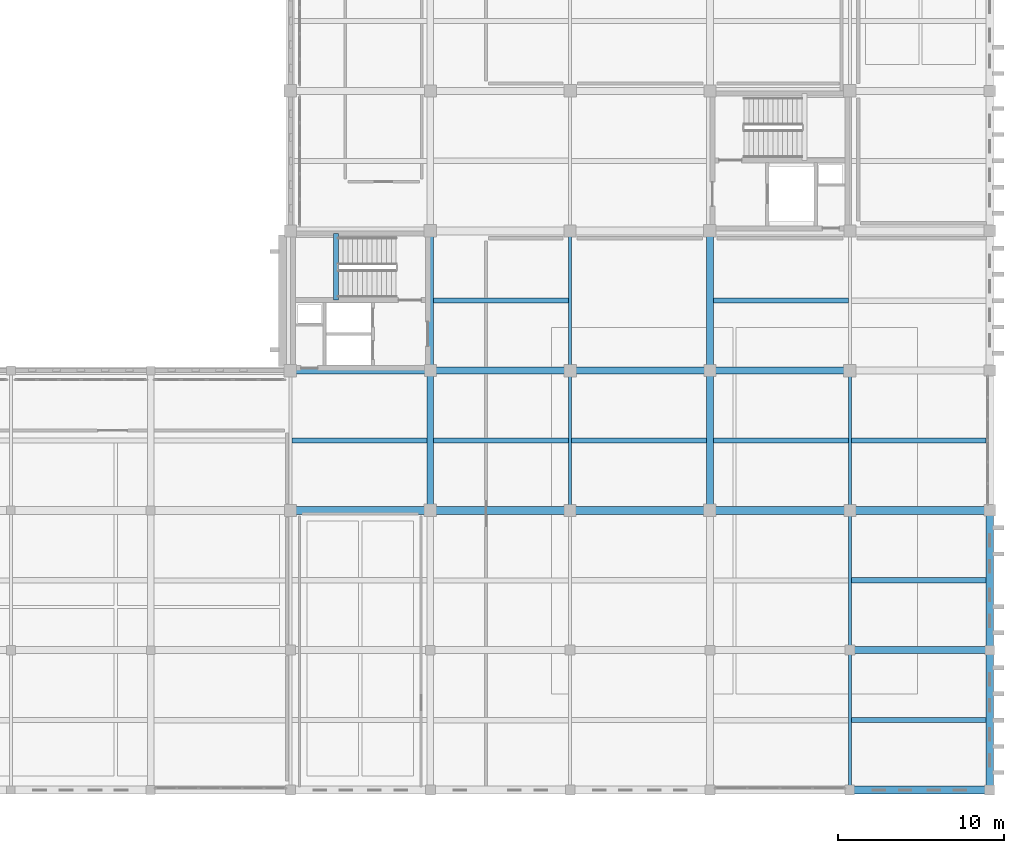
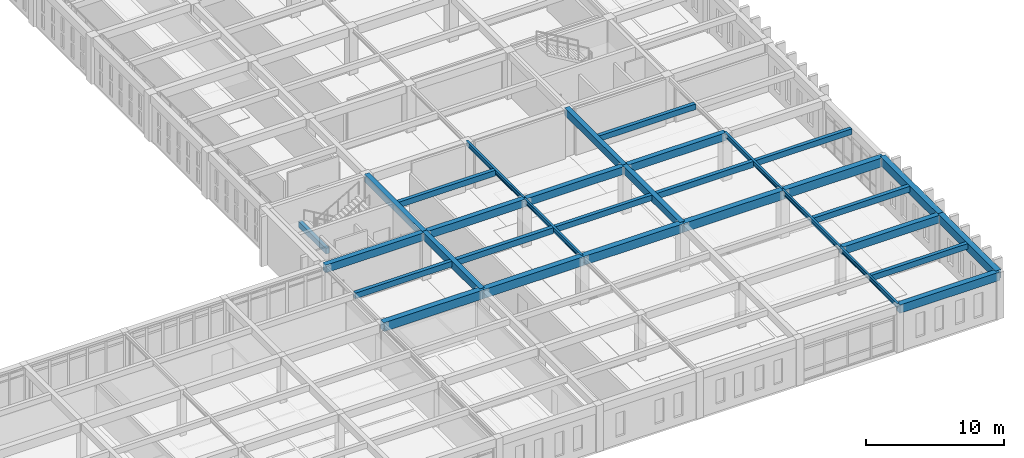
# One storey, part 102 of 192: 32 beams.
"""IFC4 building model written with IfcOpenShell, lengths in metres."""

from ifc_helpers import new_model, si_unit, direction, frame, origin, origin_2d, place, context, subcontext, project, spatial, rectangle, i_section, extrude, material, material_profile, profile_set, type_object, element, save


model = new_model("IFC4")

# Units and contexts
model_context = context("Model", 3, precision=1e-05, world=origin(), true_north=direction((0.0, 1.0)))
body_context = subcontext(model_context, "Body", "Model", "MODEL_VIEW")
ifc_project = project(units=[si_unit("LENGTHUNIT", "METRE"), si_unit("AREAUNIT", "SQUARE_METRE"), si_unit("VOLUMEUNIT", "CUBIC_METRE"), si_unit("PLANEANGLEUNIT", "RADIAN"), si_unit("MASSUNIT", "GRAM", prefix="KILO")], contexts=[model_context])

# Site, building, storey
site_placement = place(None, origin())
site = spatial("IfcSite", under=ifc_project, at=site_placement, CompositionType="ELEMENT")
building_placement = place(site_placement, origin())
building = spatial("IfcBuilding", under=site, at=building_placement, Name="Kveldsbrygga Polytechnic", CompositionType="ELEMENT")
storey_placement = place(building_placement, frame((0.0, 0.0, 5.43994140625)))
storey = spatial("IfcBuildingStorey", under=building, at=storey_placement, Name="L01", CompositionType="ELEMENT", Elevation=5.43994140625)

# Beams
ifc_material_1 = material(Name="Concrete C35/45", Category="concrete")
ifc_material_profile_1 = material_profile(ifc_material_1, rectangle(XDim=0.39990234375, YDim=0.64990234375, at=origin_2d()), Name="RC 400x650")
ifc_profile_set_1 = profile_set([ifc_material_profile_1], Name="Concrete C35/45")
beam_type_1 = type_object("IfcBeamType", Name="BM-RC-400x650", PredefinedType="BEAM", material=ifc_profile_set_1)
beam_1_placement = place(storey_placement, frame((134.39990234375, 16.800048828125, 3.795166015625), z_axis=(0.0, 1.0, 0.0), x_axis=(-1.0, 0.0, 0.0)))
element("IfcBeam", 1, at=beam_1_placement, inside=storey, type_object=beam_type_1, Name="Primary Beam BMY-L01-16-02to03", PredefinedType="BEAM", context=body_context, shape_type="SweptSolid", body=[
    extrude(rectangle(XDim=0.39990234375, YDim=0.64990234375, at=origin_2d()), origin(), (0.0, 0.0, 1.0), 8.39990234375),
])
beam_2_placement = place(storey_placement, frame((134.39990234375, 25.199951171875, 3.795166015625), z_axis=(0.0, 1.0, 0.0), x_axis=(-1.0, 0.0, 0.0)))
element("IfcBeam", 2, at=beam_2_placement, inside=storey, type_object=beam_type_1, Name="Primary Beam BMY-L01-16-03to04", PredefinedType="BEAM", context=body_context, shape_type="SweptSolid", body=[
    extrude(rectangle(XDim=0.39990234375, YDim=0.64990234375, at=origin_2d()), origin(), (0.0, 0.0, 1.0), 8.400146484375),
])
beam_3_placement = place(storey_placement, frame((151.199951171875, 16.800048828125, 3.795166015625), z_axis=(0.0, 1.0, 0.0), x_axis=(-1.0, 0.0, 0.0)))
element("IfcBeam", 3, at=beam_3_placement, inside=storey, type_object=beam_type_1, Name="Primary Beam BMY-L01-18-02to03", PredefinedType="BEAM", context=body_context, shape_type="SweptSolid", body=[
    extrude(rectangle(XDim=0.39990234375, YDim=0.64990234375, at=origin_2d()), origin(), (0.0, 0.0, 1.0), 8.39990234375),
])
beam_4_placement = place(storey_placement, frame((151.199951171875, 25.199951171875, 3.795166015625), z_axis=(0.0, 1.0, 0.0), x_axis=(-1.0, 0.0, 0.0)))
element("IfcBeam", 4, at=beam_4_placement, inside=storey, type_object=beam_type_1, Name="Primary Beam BMY-L01-18-03to04", PredefinedType="BEAM", context=body_context, shape_type="SweptSolid", body=[
    extrude(rectangle(XDim=0.39990234375, YDim=0.64990234375, at=origin_2d()), origin(), (0.0, 0.0, 1.0), 8.400146484375),
])
ifc_material_profile_2 = material_profile(ifc_material_1, rectangle(XDim=0.419921875, YDim=0.679931640625, at=origin_2d()), Name="RC 420x680")
ifc_profile_set_2 = profile_set([ifc_material_profile_2], Name="Concrete C35/45")
beam_type_2 = type_object("IfcBeamType", Name="BM-RC-420x680", PredefinedType="BEAM", material=ifc_profile_set_2)
for number, where, z_axis, x_axis, name in (
    (5, (159.60009765625, 8.39990234375, 3.780029296875), (1.0, 0.0, 0.0), (0.0, 1.0, 0.0), "Primary Beam BMX-L01-19to20-01"),
    (6, (126.0, 25.199951171875, 3.780029296875), (1.0, 0.0, 0.0), (0.0, 1.0, 0.0), "Primary Beam BMX-L01-15to16-03"),
):
    element("IfcBeam", number, at=place(storey_placement, frame(where, z_axis=z_axis, x_axis=x_axis)), inside=storey, type_object=beam_type_2, Name=name, PredefinedType="BEAM", context=body_context, shape_type="SweptSolid", body=[
        extrude(rectangle(XDim=0.419921875, YDim=0.679931640625, at=origin_2d()), origin(), (0.0, 0.0, 1.0), 8.39990234375),
    ])
beam_5_placement = place(storey_placement, frame((134.39990234375, 25.199951171875, 3.780029296875), z_axis=(1.0, 0.0, 0.0), x_axis=(0.0, 1.0, 0.0)))
element("IfcBeam", 7, at=beam_5_placement, inside=storey, type_object=beam_type_2, Name="Primary Beam BMX-L01-16to17-03", PredefinedType="BEAM", context=body_context, shape_type="SweptSolid", body=[
    extrude(rectangle(XDim=0.419921875, YDim=0.679931640625, at=origin_2d()), origin(), (0.0, 0.0, 1.0), 8.400146484375),
])
beam_6_placement = place(storey_placement, frame((142.800048828125, 25.199951171875, 3.780029296875), z_axis=(1.0, 0.0, 0.0), x_axis=(0.0, 1.0, 0.0)))
element("IfcBeam", 8, at=beam_6_placement, inside=storey, type_object=beam_type_2, Name="Primary Beam BMX-L01-17to18-03", PredefinedType="BEAM", context=body_context, shape_type="SweptSolid", body=[
    extrude(rectangle(XDim=0.419921875, YDim=0.679931640625, at=origin_2d()), origin(), (0.0, 0.0, 1.0), 8.39990234375),
])
beam_7_placement = place(storey_placement, frame((151.199951171875, 25.199951171875, 3.780029296875), z_axis=(1.0, 0.0, 0.0), x_axis=(0.0, 1.0, 0.0)))
element("IfcBeam", 9, at=beam_7_placement, inside=storey, type_object=beam_type_2, Name="Primary Beam BMX-L01-18to19-03", PredefinedType="BEAM", context=body_context, shape_type="SweptSolid", body=[
    extrude(rectangle(XDim=0.419921875, YDim=0.679931640625, at=origin_2d()), origin(), (0.0, 0.0, 1.0), 8.400146484375),
])
ifc_material_profile_3 = material_profile(ifc_material_1, rectangle(XDim=0.449951171875, YDim=0.75, at=origin_2d()), Name="RC 450x750")
ifc_profile_set_3 = profile_set([ifc_material_profile_3], Name="Concrete C35/45")
beam_type_3 = type_object("IfcBeamType", Name="BM-RC-450x750", PredefinedType="BEAM", material=ifc_profile_set_3)
beam_8_placement = place(storey_placement, frame((168.0, 0.0, 3.7451171875), z_axis=(0.0, 1.0, 0.0), x_axis=(-1.0, 0.0, 0.0)))
element("IfcBeam", 10, at=beam_8_placement, inside=storey, type_object=beam_type_3, Name="Primary Beam BMY-L01-20-00to01", PredefinedType="BEAM", context=body_context, shape_type="SweptSolid", body=[
    extrude(rectangle(XDim=0.449951171875, YDim=0.75, at=origin_2d()), origin(), (0.0, 0.0, 1.0), 8.39990234375),
])
beam_9_placement = place(storey_placement, frame((168.0, 8.39990234375, 3.7451171875), z_axis=(0.0, 1.0, 0.0), x_axis=(-1.0, 0.0, 0.0)))
element("IfcBeam", 11, at=beam_9_placement, inside=storey, type_object=beam_type_3, Name="Primary Beam BMY-L01-20-01to02", PredefinedType="BEAM", context=body_context, shape_type="SweptSolid", body=[
    extrude(rectangle(XDim=0.449951171875, YDim=0.75, at=origin_2d()), origin(), (0.0, 0.0, 1.0), 8.400146484375),
])
ifc_material_profile_4 = material_profile(ifc_material_1, rectangle(XDim=0.4599609375, YDim=0.739990234375, at=origin_2d()), Name="RC 460x740")
ifc_profile_set_4 = profile_set([ifc_material_profile_4], Name="Concrete C35/45")
beam_type_4 = type_object("IfcBeamType", Name="BM-RC-460x740", PredefinedType="BEAM", material=ifc_profile_set_4)
beam_10_placement = place(storey_placement, frame((159.60009765625, 0.0, 3.75), z_axis=(1.0, 0.0, 0.0), x_axis=(0.0, 1.0, 0.0)))
element("IfcBeam", 12, at=beam_10_placement, inside=storey, type_object=beam_type_4, Name="Primary Beam BMX-L01-19to20-00", PredefinedType="BEAM", context=body_context, shape_type="SweptSolid", body=[
    extrude(rectangle(XDim=0.4599609375, YDim=0.739990234375, at=origin_2d()), origin(), (0.0, 0.0, 1.0), 8.39990234375),
])
ifc_material_profile_5 = material_profile(ifc_material_1, rectangle(XDim=0.47998046875, YDim=0.780029296875, at=origin_2d()), Name="RC 480x780")
ifc_profile_set_5 = profile_set([ifc_material_profile_5], Name="Concrete C35/45")
beam_type_5 = type_object("IfcBeamType", Name="BM-RC-480x780", PredefinedType="BEAM", material=ifc_profile_set_5)
beam_11_placement = place(storey_placement, frame((126.0, 16.800048828125, 3.72998046875), z_axis=(1.0, 0.0, 0.0), x_axis=(0.0, 1.0, 0.0)))
element("IfcBeam", 13, at=beam_11_placement, inside=storey, type_object=beam_type_5, Name="Primary Beam BMX-L01-15to16-02", PredefinedType="BEAM", context=body_context, shape_type="SweptSolid", body=[
    extrude(rectangle(XDim=0.47998046875, YDim=0.780029296875, at=origin_2d()), origin(), (0.0, 0.0, 1.0), 8.39990234375),
])
beam_12_placement = place(storey_placement, frame((134.39990234375, 16.800048828125, 3.72998046875), z_axis=(1.0, 0.0, 0.0), x_axis=(0.0, 1.0, 0.0)))
element("IfcBeam", 14, at=beam_12_placement, inside=storey, type_object=beam_type_5, Name="Primary Beam BMX-L01-16to17-02", PredefinedType="BEAM", context=body_context, shape_type="SweptSolid", body=[
    extrude(rectangle(XDim=0.47998046875, YDim=0.780029296875, at=origin_2d()), origin(), (0.0, 0.0, 1.0), 8.400146484375),
])
beam_13_placement = place(storey_placement, frame((142.800048828125, 16.800048828125, 3.72998046875), z_axis=(1.0, 0.0, 0.0), x_axis=(0.0, 1.0, 0.0)))
element("IfcBeam", 15, at=beam_13_placement, inside=storey, type_object=beam_type_5, Name="Primary Beam BMX-L01-17to18-02", PredefinedType="BEAM", context=body_context, shape_type="SweptSolid", body=[
    extrude(rectangle(XDim=0.47998046875, YDim=0.780029296875, at=origin_2d()), origin(), (0.0, 0.0, 1.0), 8.39990234375),
])
beam_14_placement = place(storey_placement, frame((151.199951171875, 16.800048828125, 3.72998046875), z_axis=(1.0, 0.0, 0.0), x_axis=(0.0, 1.0, 0.0)))
element("IfcBeam", 16, at=beam_14_placement, inside=storey, type_object=beam_type_5, Name="Primary Beam BMX-L01-18to19-02", PredefinedType="BEAM", context=body_context, shape_type="SweptSolid", body=[
    extrude(rectangle(XDim=0.47998046875, YDim=0.780029296875, at=origin_2d()), origin(), (0.0, 0.0, 1.0), 8.400146484375),
])
beam_15_placement = place(storey_placement, frame((159.60009765625, 16.800048828125, 3.72998046875), z_axis=(1.0, 0.0, 0.0), x_axis=(0.0, 1.0, 0.0)))
element("IfcBeam", 17, at=beam_15_placement, inside=storey, type_object=beam_type_5, Name="Primary Beam BMX-L01-19to20-02", PredefinedType="BEAM", context=body_context, shape_type="SweptSolid", body=[
    extrude(rectangle(XDim=0.47998046875, YDim=0.780029296875, at=origin_2d()), origin(), (0.0, 0.0, 1.0), 8.39990234375),
])
ifc_material_2 = material(Name="Steel S355", Category="steel")
ifc_material_profile_6 = material_profile(ifc_material_2, i_section(OverallWidth=0.179931640625, OverallDepth=0.39990234375, WebThickness=0.008544921875, FlangeThickness=0.013427734375, FilletRadius=0.02099609375, at=origin_2d()), Name="IPE 400")
ifc_profile_set_6 = profile_set([ifc_material_profile_6], Name="Steel S355")
beam_type_6 = type_object("IfcBeamType", Name="BM-STL-IPE400", PredefinedType="BEAM", material=ifc_profile_set_6)
beam_16_placement = place(storey_placement, frame((142.800048828125, 16.800048828125, 3.920166015625), z_axis=(0.0, 1.0, 0.0), x_axis=(-1.0, 0.0, 0.0)))
element("IfcBeam", 18, at=beam_16_placement, inside=storey, type_object=beam_type_6, Name="Primary Beam BMY-L01-17-02to03", PredefinedType="BEAM", context=body_context, shape_type="SweptSolid", body=[
    extrude(i_section(OverallWidth=0.179931640625, OverallDepth=0.39990234375, WebThickness=0.008544921875, FlangeThickness=0.013427734375, FilletRadius=0.02099609375, at=origin_2d()), origin(), (0.0, 0.0, 1.0), 8.39990234375),
])
beam_17_placement = place(storey_placement, frame((142.800048828125, 25.199951171875, 3.920166015625), z_axis=(0.0, 1.0, 0.0), x_axis=(-1.0, 0.0, 0.0)))
element("IfcBeam", 19, at=beam_17_placement, inside=storey, type_object=beam_type_6, Name="Primary Beam BMY-L01-17-03to04", PredefinedType="BEAM", context=body_context, shape_type="SweptSolid", body=[
    extrude(i_section(OverallWidth=0.179931640625, OverallDepth=0.39990234375, WebThickness=0.008544921875, FlangeThickness=0.013427734375, FilletRadius=0.02099609375, at=origin_2d()), origin(), (0.0, 0.0, 1.0), 8.400146484375),
])
beam_18_placement = place(storey_placement, frame((159.60009765625, 0.0, 3.920166015625), z_axis=(0.0, 1.0, 0.0), x_axis=(-1.0, 0.0, 0.0)))
element("IfcBeam", 20, at=beam_18_placement, inside=storey, type_object=beam_type_6, Name="Primary Beam BMY-L01-19-00to01", PredefinedType="BEAM", context=body_context, shape_type="SweptSolid", body=[
    extrude(i_section(OverallWidth=0.179931640625, OverallDepth=0.39990234375, WebThickness=0.008544921875, FlangeThickness=0.013427734375, FilletRadius=0.02099609375, at=origin_2d()), origin(), (0.0, 0.0, 1.0), 8.39990234375),
])
beam_19_placement = place(storey_placement, frame((159.60009765625, 8.39990234375, 3.920166015625), z_axis=(0.0, 1.0, 0.0), x_axis=(-1.0, 0.0, 0.0)))
element("IfcBeam", 21, at=beam_19_placement, inside=storey, type_object=beam_type_6, Name="Primary Beam BMY-L01-19-01to02", PredefinedType="BEAM", context=body_context, shape_type="SweptSolid", body=[
    extrude(i_section(OverallWidth=0.179931640625, OverallDepth=0.39990234375, WebThickness=0.008544921875, FlangeThickness=0.013427734375, FilletRadius=0.02099609375, at=origin_2d()), origin(), (0.0, 0.0, 1.0), 8.400146484375),
])
beam_20_placement = place(storey_placement, frame((159.60009765625, 16.800048828125, 3.920166015625), z_axis=(0.0, 1.0, 0.0), x_axis=(-1.0, 0.0, 0.0)))
element("IfcBeam", 22, at=beam_20_placement, inside=storey, type_object=beam_type_6, Name="Primary Beam BMY-L01-19-02to03", PredefinedType="BEAM", context=body_context, shape_type="SweptSolid", body=[
    extrude(i_section(OverallWidth=0.179931640625, OverallDepth=0.39990234375, WebThickness=0.008544921875, FlangeThickness=0.013427734375, FilletRadius=0.02099609375, at=origin_2d()), origin(), (0.0, 0.0, 1.0), 8.39990234375),
])
ifc_material_profile_7 = material_profile(ifc_material_1, rectangle(XDim=0.300048828125, YDim=0.5, at=origin_2d()), Name="RC 300x500")
ifc_profile_set_7 = profile_set([ifc_material_profile_7], Name="Concrete C35/45")
beam_type_7 = type_object("IfcBeamType", Name="JST-RC-300x500", PredefinedType="JOIST", material=ifc_profile_set_7)
for number, where, z_axis, x_axis, name in (
    (23, (126.090087890625, 21.0, 3.8701171875), (1.0, 0.0, 0.0), (0.0, 1.0, 0.0), "Secondary Joist JST-L01-15-02"),
    (24, (134.60009765625, 29.39990234375, 3.8701171875), (1.0, 0.0, 0.0), (0.0, 1.0, 0.0), "Secondary Joist JST-L01-16-03"),
):
    element("IfcBeam", number, at=place(storey_placement, frame(where, z_axis=z_axis, x_axis=x_axis)), inside=storey, type_object=beam_type_7, Name=name, PredefinedType="JOIST", context=body_context, shape_type="SweptSolid", body=[
        extrude(rectangle(XDim=0.300048828125, YDim=0.5, at=origin_2d()), origin(), (0.0, 0.0, 1.0), 8.10986328125),
    ])
for number, where, z_axis, x_axis, name in (
    (25, (142.889892578125, 21.0, 3.8701171875), (1.0, 0.0, 0.0), (0.0, 1.0, 0.0), "Secondary Joist JST-L01-17-02"),
    (26, (151.39990234375, 29.39990234375, 3.8701171875), (1.0, 0.0, 0.0), (0.0, 1.0, 0.0), "Secondary Joist JST-L01-18-03"),
):
    element("IfcBeam", number, at=place(storey_placement, frame(where, z_axis=z_axis, x_axis=x_axis)), inside=storey, type_object=beam_type_7, Name=name, PredefinedType="JOIST", context=body_context, shape_type="SweptSolid", body=[
        extrude(rectangle(XDim=0.300048828125, YDim=0.5, at=origin_2d()), origin(), (0.0, 0.0, 1.0), 8.110107421875),
    ])
for number, where, z_axis, x_axis, name in (
    (27, (159.68994140625, 4.199951171875, 3.8701171875), (1.0, 0.0, 0.0), (0.0, 1.0, 0.0), "Secondary Joist JST-L01-19-00"),
    (28, (159.68994140625, 21.0, 3.8701171875), (1.0, 0.0, 0.0), (0.0, 1.0, 0.0), "Secondary Joist JST-L01-19-02"),
):
    element("IfcBeam", number, at=place(storey_placement, frame(where, z_axis=z_axis, x_axis=x_axis)), inside=storey, type_object=beam_type_7, Name=name, PredefinedType="JOIST", context=body_context, shape_type="SweptSolid", body=[
        extrude(rectangle(XDim=0.300048828125, YDim=0.5, at=origin_2d()), origin(), (0.0, 0.0, 1.0), 8.0849609375),
    ])
ifc_material_profile_8 = material_profile(ifc_material_1, rectangle(XDim=0.320068359375, YDim=0.52001953125, at=origin_2d()), Name="RC 320x520")
ifc_profile_set_8 = profile_set([ifc_material_profile_8], Name="Concrete C35/45")
beam_type_8 = type_object("IfcBeamType", Name="JST-RC-320x520", PredefinedType="JOIST", material=ifc_profile_set_8)
beam_21_placement = place(storey_placement, frame((134.60009765625, 21.0, 3.860107421875), z_axis=(1.0, 0.0, 0.0), x_axis=(0.0, 1.0, 0.0)))
element("IfcBeam", 29, at=beam_21_placement, inside=storey, type_object=beam_type_8, Name="Secondary Joist JST-L01-16-02", PredefinedType="JOIST", context=body_context, shape_type="SweptSolid", body=[
    extrude(rectangle(XDim=0.320068359375, YDim=0.52001953125, at=origin_2d()), origin(), (0.0, 0.0, 1.0), 8.10986328125),
])
beam_22_placement = place(storey_placement, frame((151.39990234375, 21.0, 3.860107421875), z_axis=(1.0, 0.0, 0.0), x_axis=(0.0, 1.0, 0.0)))
element("IfcBeam", 30, at=beam_22_placement, inside=storey, type_object=beam_type_8, Name="Secondary Joist JST-L01-18-02", PredefinedType="JOIST", context=body_context, shape_type="SweptSolid", body=[
    extrude(rectangle(XDim=0.320068359375, YDim=0.52001953125, at=origin_2d()), origin(), (0.0, 0.0, 1.0), 8.110107421875),
])
beam_23_placement = place(storey_placement, frame((159.68994140625, 12.60009765625, 3.860107421875), z_axis=(1.0, 0.0, 0.0), x_axis=(0.0, 1.0, 0.0)))
element("IfcBeam", 31, at=beam_23_placement, inside=storey, type_object=beam_type_8, Name="Secondary Joist JST-L01-19-01", PredefinedType="JOIST", context=body_context, shape_type="SweptSolid", body=[
    extrude(rectangle(XDim=0.320068359375, YDim=0.52001953125, at=origin_2d()), origin(), (0.0, 0.0, 1.0), 8.0849609375),
])
ifc_material_profile_9 = material_profile(ifc_material_1, rectangle(XDim=0.300048828125, YDim=0.5, at=origin_2d()), Name="RC 300x500")
ifc_profile_set_9 = profile_set([ifc_material_profile_9], Name="Concrete C35/45")
beam_type_9 = type_object("IfcBeamType", Name="LNT-RC-300x500", PredefinedType="LINTEL", material=ifc_profile_set_9)
beam_24_placement = place(storey_placement, frame((128.719970703125, 29.429931640625, 1.760009765625), z_axis=(0.0, 1.0, 0.0), x_axis=(-1.0, 0.0, 0.0)))
element("IfcBeam", 32, at=beam_24_placement, inside=storey, type_object=beam_type_9, Name="Stair Landing Support Beam C1-L01-LNDB-1-1", PredefinedType="LINTEL", context=body_context, shape_type="SweptSolid", body=[
    extrude(rectangle(XDim=0.300048828125, YDim=0.5, at=origin_2d()), origin(), (0.0, 0.0, 1.0), 4.02001953125),
])

save(model, "model.ifc")
